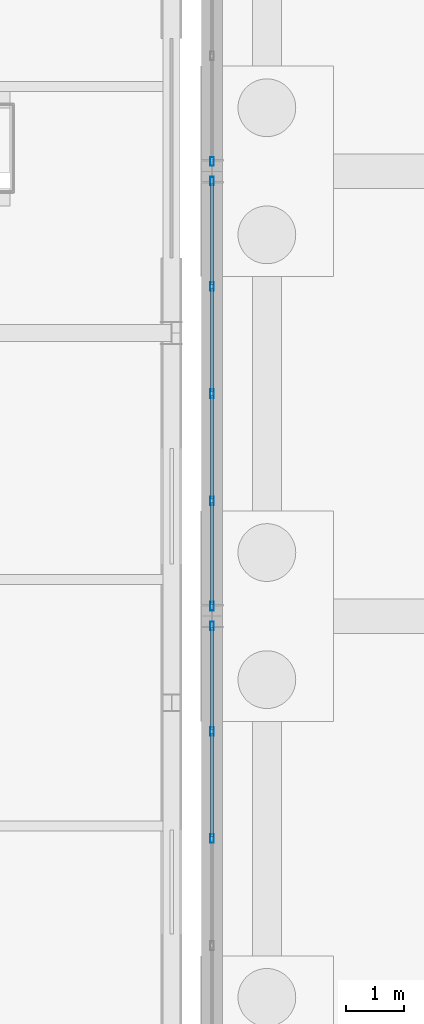
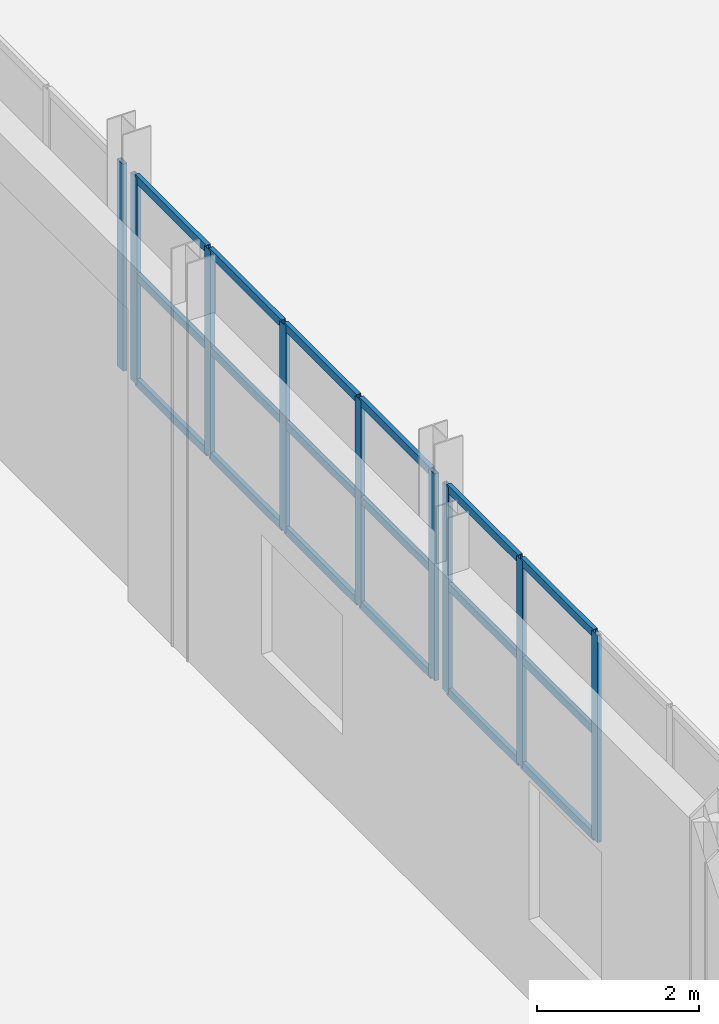
# One storey, part 77 of 139: 27 members, 3 elements without a shape of their own.
"""IFC4 building model written with IfcOpenShell, lengths in metres."""

from ifc_helpers import new_model, si_unit, direction, frame, origin, origin_2d, place, context, subcontext, project, spatial, hollow_rectangle, extrude, material, material_profile, profile_set, type_object, element, aggregate, save


model = new_model("IFC4")

# Units and contexts
model_context = context("Model", 3, precision=1e-05, world=origin(), true_north=direction((0.0, 1.0)))
body_context = subcontext(model_context, "Body", "Model", "MODEL_VIEW")
ifc_project = project(units=[si_unit("LENGTHUNIT", "METRE"), si_unit("AREAUNIT", "SQUARE_METRE"), si_unit("VOLUMEUNIT", "CUBIC_METRE"), si_unit("PLANEANGLEUNIT", "RADIAN"), si_unit("MASSUNIT", "GRAM", prefix="KILO")], contexts=[model_context])

# Site, building, storey
site_placement = place(None, origin())
site = spatial("IfcSite", under=ifc_project, at=site_placement, CompositionType="ELEMENT")
building_placement = place(site_placement, origin())
building = spatial("IfcBuilding", under=site, at=building_placement, Name="Kazenagashi Tramway Depot", CompositionType="ELEMENT")
storey_placement = place(building_placement, origin())
storey = spatial("IfcBuildingStorey", under=building, at=storey_placement, Name="L01", CompositionType="ELEMENT", Elevation=0.0)

# Curtain wall, members
ifc_material_1 = material(Name="Anodised Aluminium and Low-E Glazing", Category="aluminium")
curtain_wall_type = type_object("IfcCurtainWallType", Name="CW-30", PredefinedType="USERDEFINED", material=ifc_material_1)
curtain_wall_1_placement = place(storey_placement, origin())
curtain_wall_1 = element("IfcCurtainWall", 1, at=curtain_wall_1_placement, inside=storey, type_object=curtain_wall_type, Name="Industrial Glazed Screen CW-30 CW-0162", ObjectType="GLAZED SCREEN", PredefinedType="USERDEFINED")
ifc_material_2 = material(Name="Anodised Aluminium", Category="aluminium")
ifc_material_profile_1 = material_profile(ifc_material_2, hollow_rectangle(XDim=0.06, YDim=0.15, WallThickness=0.004, at=origin_2d()), Name="RHS-150x60x4")
ifc_profile_set_1 = profile_set([ifc_material_profile_1], Name="Anodised Aluminium")
member_type_1 = type_object("IfcMemberType", Name="ML-01", PredefinedType="MULLION", material=ifc_profile_set_1)
member_1_placement = place(storey_placement, frame((146.3, 26.95, 2.2), z_axis=(0.0, 0.0, 1.0), x_axis=(-1.0, 0.0, 0.0)))
member_1 = element("IfcMember", 2, at=member_1_placement, type_object=member_type_1, Name="CW-30 mullion 3", PredefinedType="MULLION", context=body_context, shape_type="SweptSolid", body=[
    extrude(hollow_rectangle(XDim=0.06, YDim=0.15, WallThickness=0.004, at=origin_2d()), origin(), (0.0, 0.0, 1.0), 3.12),
])
member_2_placement = place(storey_placement, frame((146.3, 28.805, 2.2), z_axis=(0.0, 0.0, 1.0), x_axis=(-1.0, 0.0, 0.0)))
member_2 = element("IfcMember", 3, at=member_2_placement, type_object=member_type_1, Name="CW-30 mullion 4", PredefinedType="MULLION", context=body_context, shape_type="SweptSolid", body=[
    extrude(hollow_rectangle(XDim=0.06, YDim=0.15, WallThickness=0.004, at=origin_2d()), origin(), (0.0, 0.0, 1.0), 3.12),
])
member_3_placement = place(storey_placement, frame((146.3, 30.63, 2.2), z_axis=(0.0, 0.0, 1.0), x_axis=(-1.0, 0.0, 0.0)))
member_3 = element("IfcMember", 4, at=member_3_placement, type_object=member_type_1, Name="CW-30 mullion 5", PredefinedType="MULLION", context=body_context, shape_type="SweptSolid", body=[
    extrude(hollow_rectangle(XDim=0.06, YDim=0.15, WallThickness=0.004, at=origin_2d()), origin(), (0.0, 0.0, 1.0), 3.12),
])

curtain_wall_2_placement = place(storey_placement, origin())
curtain_wall_2 = element("IfcCurtainWall", 5, at=curtain_wall_2_placement, inside=storey, type_object=curtain_wall_type, Name="Industrial Glazed Screen CW-30 CW-0164", ObjectType="GLAZED SCREEN", PredefinedType="USERDEFINED")
member_4_placement = place(storey_placement, frame((146.3, 30.97, 2.2), z_axis=(0.0, 0.0, 1.0), x_axis=(-1.0, 0.0, 0.0)))
member_4 = element("IfcMember", 6, at=member_4_placement, type_object=member_type_1, Name="CW-30 mullion 1", PredefinedType="MULLION", context=body_context, shape_type="SweptSolid", body=[
    extrude(hollow_rectangle(XDim=0.06, YDim=0.15, WallThickness=0.004, at=origin_2d()), origin(), (0.0, 0.0, 1.0), 3.12),
])
member_5_placement = place(storey_placement, frame((146.3, 32.795, 2.2), z_axis=(0.0, 0.0, 1.0), x_axis=(-1.0, 0.0, 0.0)))
member_5 = element("IfcMember", 7, at=member_5_placement, type_object=member_type_1, Name="CW-30 mullion 2", PredefinedType="MULLION", context=body_context, shape_type="SweptSolid", body=[
    extrude(hollow_rectangle(XDim=0.06, YDim=0.15, WallThickness=0.004, at=origin_2d()), origin(), (0.0, 0.0, 1.0), 3.12),
])
member_6_placement = place(storey_placement, frame((146.3, 34.65, 2.2), z_axis=(0.0, 0.0, 1.0), x_axis=(-1.0, 0.0, 0.0)))
member_6 = element("IfcMember", 8, at=member_6_placement, type_object=member_type_1, Name="CW-30 mullion 3", PredefinedType="MULLION", context=body_context, shape_type="SweptSolid", body=[
    extrude(hollow_rectangle(XDim=0.06, YDim=0.15, WallThickness=0.004, at=origin_2d()), origin(), (0.0, 0.0, 1.0), 3.12),
])
member_7_placement = place(storey_placement, frame((146.3, 36.505, 2.2), z_axis=(0.0, 0.0, 1.0), x_axis=(-1.0, 0.0, 0.0)))
member_7 = element("IfcMember", 9, at=member_7_placement, type_object=member_type_1, Name="CW-30 mullion 4", PredefinedType="MULLION", context=body_context, shape_type="SweptSolid", body=[
    extrude(hollow_rectangle(XDim=0.06, YDim=0.15, WallThickness=0.004, at=origin_2d()), origin(), (0.0, 0.0, 1.0), 3.12),
])
member_8_placement = place(storey_placement, frame((146.3, 38.33, 2.2), z_axis=(0.0, 0.0, 1.0), x_axis=(-1.0, 0.0, 0.0)))
member_8 = element("IfcMember", 10, at=member_8_placement, type_object=member_type_1, Name="CW-30 mullion 5", PredefinedType="MULLION", context=body_context, shape_type="SweptSolid", body=[
    extrude(hollow_rectangle(XDim=0.06, YDim=0.15, WallThickness=0.004, at=origin_2d()), origin(), (0.0, 0.0, 1.0), 3.12),
])

# Curtain wall, member
curtain_wall_3_placement = place(storey_placement, origin())
curtain_wall_3 = element("IfcCurtainWall", 11, at=curtain_wall_3_placement, inside=storey, type_object=curtain_wall_type, Name="Industrial Glazed Screen CW-30 CW-0166", ObjectType="GLAZED SCREEN", PredefinedType="USERDEFINED")
member_9_placement = place(storey_placement, frame((146.3, 38.67, 2.2), z_axis=(0.0, 0.0, 1.0), x_axis=(-1.0, 0.0, 0.0)))
member_9 = element("IfcMember", 12, at=member_9_placement, type_object=member_type_1, Name="CW-30 mullion 1", PredefinedType="MULLION", context=body_context, shape_type="SweptSolid", body=[
    extrude(hollow_rectangle(XDim=0.06, YDim=0.15, WallThickness=0.004, at=origin_2d()), origin(), (0.0, 0.0, 1.0), 3.12),
])
aggregate(curtain_wall_3, [member_9])

# Member
ifc_material_profile_2 = material_profile(ifc_material_2, hollow_rectangle(XDim=0.06, YDim=0.12, WallThickness=0.004, at=origin_2d()), Name="RHS-120x60x4")
ifc_profile_set_2 = profile_set([ifc_material_profile_2], Name="Anodised Aluminium")
member_type_2 = type_object("IfcMemberType", Name="TR-01", PredefinedType="USERDEFINED", material=ifc_profile_set_2)
member_10_placement = place(storey_placement, frame((146.3, 26.98, 2.23), z_axis=(0.0, 1.0, 0.0), x_axis=(-1.0, 0.0, 0.0)))
member_10 = element("IfcMember", 13, at=member_10_placement, type_object=member_type_2, Name="CW-30 transom 3.1", ObjectType="TRANSOM", PredefinedType="USERDEFINED", context=body_context, shape_type="SweptSolid", body=[
    extrude(hollow_rectangle(XDim=0.06, YDim=0.12, WallThickness=0.004, at=origin_2d()), origin(), (0.0, 0.0, 1.0), 1.795),
])

member_11_placement = place(storey_placement, frame((146.3, 26.98, 3.822), z_axis=(0.0, 1.0, 0.0), x_axis=(-1.0, 0.0, 0.0)))
member_11 = element("IfcMember", 14, at=member_11_placement, type_object=member_type_2, Name="CW-30 transom 3.2", ObjectType="TRANSOM", PredefinedType="USERDEFINED", context=body_context, shape_type="SweptSolid", body=[
    extrude(hollow_rectangle(XDim=0.06, YDim=0.12, WallThickness=0.004, at=origin_2d()), origin(), (0.0, 0.0, 1.0), 1.795),
])

member_12_placement = place(storey_placement, frame((146.3, 26.98, 5.29), z_axis=(0.0, 1.0, 0.0), x_axis=(-1.0, 0.0, 0.0)))
member_12 = element("IfcMember", 15, at=member_12_placement, type_object=member_type_2, Name="CW-30 transom 3.3", ObjectType="TRANSOM", PredefinedType="USERDEFINED", context=body_context, shape_type="SweptSolid", body=[
    extrude(hollow_rectangle(XDim=0.06, YDim=0.12, WallThickness=0.004, at=origin_2d()), origin(), (0.0, 0.0, 1.0), 1.795),
])

member_13_placement = place(storey_placement, frame((146.3, 28.835, 2.23), z_axis=(0.0, 1.0, 0.0), x_axis=(-1.0, 0.0, 0.0)))
member_13 = element("IfcMember", 16, at=member_13_placement, type_object=member_type_2, Name="CW-30 transom 4.1", ObjectType="TRANSOM", PredefinedType="USERDEFINED", context=body_context, shape_type="SweptSolid", body=[
    extrude(hollow_rectangle(XDim=0.06, YDim=0.12, WallThickness=0.004, at=origin_2d()), origin(), (0.0, 0.0, 1.0), 1.765),
])

member_14_placement = place(storey_placement, frame((146.3, 28.835, 3.822), z_axis=(0.0, 1.0, 0.0), x_axis=(-1.0, 0.0, 0.0)))
member_14 = element("IfcMember", 17, at=member_14_placement, type_object=member_type_2, Name="CW-30 transom 4.2", ObjectType="TRANSOM", PredefinedType="USERDEFINED", context=body_context, shape_type="SweptSolid", body=[
    extrude(hollow_rectangle(XDim=0.06, YDim=0.12, WallThickness=0.004, at=origin_2d()), origin(), (0.0, 0.0, 1.0), 1.765),
])

member_15_placement = place(storey_placement, frame((146.3, 28.835, 5.29), z_axis=(0.0, 1.0, 0.0), x_axis=(-1.0, 0.0, 0.0)))
member_15 = element("IfcMember", 18, at=member_15_placement, type_object=member_type_2, Name="CW-30 transom 4.3", ObjectType="TRANSOM", PredefinedType="USERDEFINED", context=body_context, shape_type="SweptSolid", body=[
    extrude(hollow_rectangle(XDim=0.06, YDim=0.12, WallThickness=0.004, at=origin_2d()), origin(), (0.0, 0.0, 1.0), 1.765),
])

aggregate(curtain_wall_1, [member_1, member_2, member_3, member_10, member_11, member_12, member_13, member_14, member_15])

member_16_placement = place(storey_placement, frame((146.3, 31.0, 2.23), z_axis=(0.0, 1.0, 0.0), x_axis=(-1.0, 0.0, 0.0)))
member_16 = element("IfcMember", 19, at=member_16_placement, type_object=member_type_2, Name="CW-30 transom 1.1", ObjectType="TRANSOM", PredefinedType="USERDEFINED", context=body_context, shape_type="SweptSolid", body=[
    extrude(hollow_rectangle(XDim=0.06, YDim=0.12, WallThickness=0.004, at=origin_2d()), origin(), (0.0, 0.0, 1.0), 1.765),
])

member_17_placement = place(storey_placement, frame((146.3, 31.0, 3.822), z_axis=(0.0, 1.0, 0.0), x_axis=(-1.0, 0.0, 0.0)))
member_17 = element("IfcMember", 20, at=member_17_placement, type_object=member_type_2, Name="CW-30 transom 1.2", ObjectType="TRANSOM", PredefinedType="USERDEFINED", context=body_context, shape_type="SweptSolid", body=[
    extrude(hollow_rectangle(XDim=0.06, YDim=0.12, WallThickness=0.004, at=origin_2d()), origin(), (0.0, 0.0, 1.0), 1.765),
])

member_18_placement = place(storey_placement, frame((146.3, 31.0, 5.29), z_axis=(0.0, 1.0, 0.0), x_axis=(-1.0, 0.0, 0.0)))
member_18 = element("IfcMember", 21, at=member_18_placement, type_object=member_type_2, Name="CW-30 transom 1.3", ObjectType="TRANSOM", PredefinedType="USERDEFINED", context=body_context, shape_type="SweptSolid", body=[
    extrude(hollow_rectangle(XDim=0.06, YDim=0.12, WallThickness=0.004, at=origin_2d()), origin(), (0.0, 0.0, 1.0), 1.765),
])

member_19_placement = place(storey_placement, frame((146.3, 32.825, 2.23), z_axis=(0.0, 1.0, 0.0), x_axis=(-1.0, 0.0, 0.0)))
member_19 = element("IfcMember", 22, at=member_19_placement, type_object=member_type_2, Name="CW-30 transom 2.1", ObjectType="TRANSOM", PredefinedType="USERDEFINED", context=body_context, shape_type="SweptSolid", body=[
    extrude(hollow_rectangle(XDim=0.06, YDim=0.12, WallThickness=0.004, at=origin_2d()), origin(), (0.0, 0.0, 1.0), 1.795),
])

member_20_placement = place(storey_placement, frame((146.3, 32.825, 3.822), z_axis=(0.0, 1.0, 0.0), x_axis=(-1.0, 0.0, 0.0)))
member_20 = element("IfcMember", 23, at=member_20_placement, type_object=member_type_2, Name="CW-30 transom 2.2", ObjectType="TRANSOM", PredefinedType="USERDEFINED", context=body_context, shape_type="SweptSolid", body=[
    extrude(hollow_rectangle(XDim=0.06, YDim=0.12, WallThickness=0.004, at=origin_2d()), origin(), (0.0, 0.0, 1.0), 1.795),
])

member_21_placement = place(storey_placement, frame((146.3, 32.825, 5.29), z_axis=(0.0, 1.0, 0.0), x_axis=(-1.0, 0.0, 0.0)))
member_21 = element("IfcMember", 24, at=member_21_placement, type_object=member_type_2, Name="CW-30 transom 2.3", ObjectType="TRANSOM", PredefinedType="USERDEFINED", context=body_context, shape_type="SweptSolid", body=[
    extrude(hollow_rectangle(XDim=0.06, YDim=0.12, WallThickness=0.004, at=origin_2d()), origin(), (0.0, 0.0, 1.0), 1.795),
])

member_22_placement = place(storey_placement, frame((146.3, 34.68, 2.23), z_axis=(0.0, 1.0, 0.0), x_axis=(-1.0, 0.0, 0.0)))
member_22 = element("IfcMember", 25, at=member_22_placement, type_object=member_type_2, Name="CW-30 transom 3.1", ObjectType="TRANSOM", PredefinedType="USERDEFINED", context=body_context, shape_type="SweptSolid", body=[
    extrude(hollow_rectangle(XDim=0.06, YDim=0.12, WallThickness=0.004, at=origin_2d()), origin(), (0.0, 0.0, 1.0), 1.795),
])

member_23_placement = place(storey_placement, frame((146.3, 34.68, 3.822), z_axis=(0.0, 1.0, 0.0), x_axis=(-1.0, 0.0, 0.0)))
member_23 = element("IfcMember", 26, at=member_23_placement, type_object=member_type_2, Name="CW-30 transom 3.2", ObjectType="TRANSOM", PredefinedType="USERDEFINED", context=body_context, shape_type="SweptSolid", body=[
    extrude(hollow_rectangle(XDim=0.06, YDim=0.12, WallThickness=0.004, at=origin_2d()), origin(), (0.0, 0.0, 1.0), 1.795),
])

member_24_placement = place(storey_placement, frame((146.3, 34.68, 5.29), z_axis=(0.0, 1.0, 0.0), x_axis=(-1.0, 0.0, 0.0)))
member_24 = element("IfcMember", 27, at=member_24_placement, type_object=member_type_2, Name="CW-30 transom 3.3", ObjectType="TRANSOM", PredefinedType="USERDEFINED", context=body_context, shape_type="SweptSolid", body=[
    extrude(hollow_rectangle(XDim=0.06, YDim=0.12, WallThickness=0.004, at=origin_2d()), origin(), (0.0, 0.0, 1.0), 1.795),
])

member_25_placement = place(storey_placement, frame((146.3, 36.535, 2.23), z_axis=(0.0, 1.0, 0.0), x_axis=(-1.0, 0.0, 0.0)))
member_25 = element("IfcMember", 28, at=member_25_placement, type_object=member_type_2, Name="CW-30 transom 4.1", ObjectType="TRANSOM", PredefinedType="USERDEFINED", context=body_context, shape_type="SweptSolid", body=[
    extrude(hollow_rectangle(XDim=0.06, YDim=0.12, WallThickness=0.004, at=origin_2d()), origin(), (0.0, 0.0, 1.0), 1.765),
])

member_26_placement = place(storey_placement, frame((146.3, 36.535, 3.822), z_axis=(0.0, 1.0, 0.0), x_axis=(-1.0, 0.0, 0.0)))
member_26 = element("IfcMember", 29, at=member_26_placement, type_object=member_type_2, Name="CW-30 transom 4.2", ObjectType="TRANSOM", PredefinedType="USERDEFINED", context=body_context, shape_type="SweptSolid", body=[
    extrude(hollow_rectangle(XDim=0.06, YDim=0.12, WallThickness=0.004, at=origin_2d()), origin(), (0.0, 0.0, 1.0), 1.765),
])

member_27_placement = place(storey_placement, frame((146.3, 36.535, 5.29), z_axis=(0.0, 1.0, 0.0), x_axis=(-1.0, 0.0, 0.0)))
member_27 = element("IfcMember", 30, at=member_27_placement, type_object=member_type_2, Name="CW-30 transom 4.3", ObjectType="TRANSOM", PredefinedType="USERDEFINED", context=body_context, shape_type="SweptSolid", body=[
    extrude(hollow_rectangle(XDim=0.06, YDim=0.12, WallThickness=0.004, at=origin_2d()), origin(), (0.0, 0.0, 1.0), 1.765),
])

aggregate(curtain_wall_2, [member_4, member_5, member_6, member_7, member_8, member_16, member_17, member_18, member_19, member_20, member_21, member_22, member_23, member_24, member_25, member_26, member_27])

save(model, "model.ifc")
